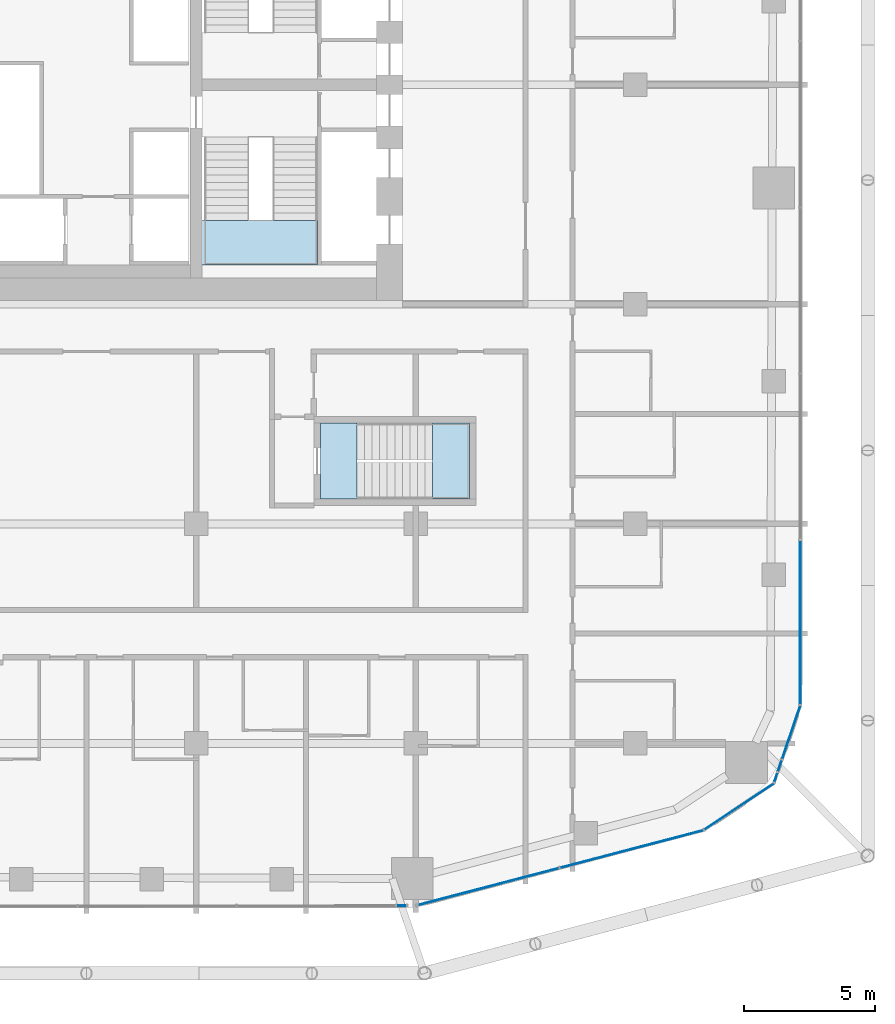
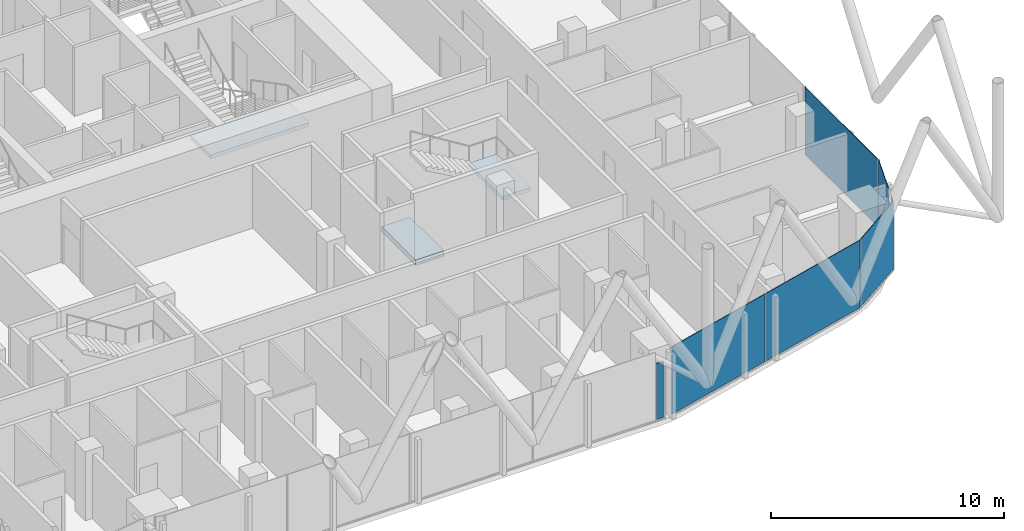
# One storey, part 20 of 33: 8 plates, 3 slabs, 9 elements without a shape of their own.
"""IFC4 building model written with IfcOpenShell, lengths in metres."""

from ifc_helpers import new_model, si_unit, direction, frame, origin, origin_2d, place, context, subcontext, project, spatial, polyline, rectangle, outline, extrude, material, layer, layer_set, type_object, element, aggregate, save


model = new_model("IFC4")

# Units and contexts
model_context = context("Model", 3, precision=1e-05, world=origin(), true_north=direction((0.0, 1.0)))
body_context = subcontext(model_context, "Body", "Model", "MODEL_VIEW")
ifc_project = project(units=[si_unit("LENGTHUNIT", "METRE"), si_unit("AREAUNIT", "SQUARE_METRE"), si_unit("VOLUMEUNIT", "CUBIC_METRE"), si_unit("PLANEANGLEUNIT", "RADIAN"), si_unit("MASSUNIT", "GRAM", prefix="KILO")], contexts=[model_context])

# Site, building, storey
site_placement = place(None, origin())
site = spatial("IfcSite", under=ifc_project, at=site_placement, CompositionType="ELEMENT")
building_placement = place(site_placement, origin())
building = spatial("IfcBuilding", under=site, at=building_placement, Name="Marenta Gate Hotel Tower", CompositionType="ELEMENT")
storey_placement = place(building_placement, frame((0.0, 0.0, 108.5)))
storey = spatial("IfcBuildingStorey", under=building, at=storey_placement, Name="L23", CompositionType="ELEMENT", Elevation=108.5)

# Stair, slab
ifc_material_1 = material(Name="Concrete C40", Category="concrete")
stair_type_1 = type_object("IfcStairType", Name="Core exit stair 1700 wide", PredefinedType="HALF_TURN_STAIR", material=ifc_material_1)
stair_1_placement = place(storey_placement, origin())
stair_1 = element("IfcStair", 1, at=stair_1_placement, inside=storey, type_object=stair_type_1, Name="Exit stair 3", PredefinedType="HALF_TURN_STAIR")
ifc_material_2 = material(Name="Concrete C40", Category="concrete")
ifc_layer_1 = layer(ifc_material_2, 0.199951171875)
ifc_layer_set_1 = layer_set([ifc_layer_1], Name="Concrete C40")
slab_type_1 = type_object("IfcSlabType", Name="Core stair landing 200", PredefinedType="LANDING", material=ifc_layer_set_1)
slab_1_placement = place(storey_placement, frame((0.0, 0.0, 1.60009765625)))
slab_1 = element("IfcSlab", 2, at=slab_1_placement, type_object=slab_type_1, Name="SL-200 ST3 landing 1", PredefinedType="LANDING", context=body_context, shape_type="SweptSolid", body=[
    extrude(outline(polyline([(3.97509765625, 1.5), (8.85009765625, 1.5), (8.85009765625, 3.2099609375), (3.97509765625, 3.2099609375), (3.97509765625, 1.5)])), origin(), (0.0, 0.0, 1.0), 0.199951171875),
])
aggregate(stair_1, [slab_1])

# Curtain wall, plate
ifc_material_3 = material(Name="Tinted insulated glass in bronze anodised frame", Category="glass")
ifc_layer_2 = layer(ifc_material_3, 0.1201171875)
ifc_layer_set_2 = layer_set([ifc_layer_2], Name="Tinted insulated glass in bronze anodised frame")
curtain_wall_type = type_object("IfcCurtainWallType", Name="Tower unitised curtain wall CW1", PredefinedType="NOTDEFINED", material=ifc_layer_set_2)
curtain_wall_1_placement = place(storey_placement, origin())
curtain_wall_1 = element("IfcCurtainWall", 3, at=curtain_wall_1_placement, inside=storey, type_object=curtain_wall_type, Name="CW1 run G13", PredefinedType="NOTDEFINED")
ifc_material_4 = material(Name="Tinted insulated glass", Category="glass")
ifc_layer_3 = layer(ifc_material_4, 0.028076171875)
ifc_layer_set_3 = layer_set([ifc_layer_3], Name="Tinted insulated glass")
plate_type = type_object("IfcPlateType", Name="Glass panel CW1 28 mm tinted insulated unit", PredefinedType="CURTAIN_PANEL", material=ifc_layer_set_3)
plate_1_placement = place(storey_placement, frame((12.060791015625, -23.013916015625, 0.06005859375), z_axis=(0.0, 0.0, 1.0), x_axis=(0.999999212858, 0.001254704164, 0.0)))
plate_1 = element("IfcPlate", 4, at=plate_1_placement, type_object=plate_type, Name="CW1 panel 1.1", PredefinedType="CURTAIN_PANEL", context=body_context, shape_type="SweptSolid", body=[
    extrude(rectangle(XDim=0.358154296875, YDim=0.028076171875, at=origin_2d()), origin(), (0.0, 0.0, 1.0), 2.9404296875),
])
aggregate(curtain_wall_1, [plate_1])

# Curtain wall, plates
curtain_wall_2_placement = place(storey_placement, origin())
curtain_wall_2 = element("IfcCurtainWall", 5, at=curtain_wall_2_placement, inside=storey, type_object=curtain_wall_type, Name="CW1 run G14", PredefinedType="NOTDEFINED")
plate_2_placement = place(storey_placement, frame((15.36474609375, -22.28857421875, 0.06005859375), z_axis=(0.0, 0.0, 1.0), x_axis=(0.967368326473, 0.253374270473, 0.0)))
plate_2 = element("IfcPlate", 6, at=plate_2_placement, type_object=plate_type, Name="CW1 panel 1.1", PredefinedType="CURTAIN_PANEL", context=body_context, shape_type="SweptSolid", body=[
    extrude(rectangle(XDim=5.6005859375, YDim=0.028076171875, at=origin_2d()), origin(), (0.0, 0.0, 1.0), 3.5400390625),
])
plate_3_placement = place(storey_placement, frame((20.86962890625, -20.8466796875, 0.06005859375), z_axis=(0.0, 0.0, 1.0), x_axis=(0.967368326473, 0.253374270473, 0.0)))
plate_3 = element("IfcPlate", 7, at=plate_3_placement, type_object=plate_type, Name="CW1 panel 2.1", PredefinedType="CURTAIN_PANEL", context=body_context, shape_type="SweptSolid", body=[
    extrude(rectangle(XDim=5.66064453125, YDim=0.028076171875, at=origin_2d()), origin(), (0.0, 0.0, 1.0), 3.5400390625),
])
aggregate(curtain_wall_2, [plate_2, plate_3])

# Curtain wall, plate
curtain_wall_3_placement = place(storey_placement, origin())
curtain_wall_3 = element("IfcCurtainWall", 8, at=curtain_wall_3_placement, inside=storey, type_object=curtain_wall_type, Name="CW1 run G15", PredefinedType="NOTDEFINED")
plate_4_placement = place(storey_placement, frame((24.981201171875, -19.215576171875, 0.06005859375), z_axis=(0.0, 0.0, 1.0), x_axis=(0.832505857051, 0.554016243423, 0.0)))
plate_4 = element("IfcPlate", 9, at=plate_4_placement, type_object=plate_type, Name="CW1 panel 1.1", PredefinedType="CURTAIN_PANEL", context=body_context, shape_type="SweptSolid", body=[
    extrude(rectangle(XDim=3.179931640625, YDim=0.028076171875, at=origin_2d()), origin(), (0.0, 0.0, 1.0), 3.5400390625),
])
aggregate(curtain_wall_3, [plate_4])

curtain_wall_4_placement = place(storey_placement, origin())
curtain_wall_4 = element("IfcCurtainWall", 10, at=curtain_wall_4_placement, inside=storey, type_object=curtain_wall_type, Name="CW1 run G16", PredefinedType="NOTDEFINED")
plate_5_placement = place(storey_placement, frame((26.383544921875, -18.103515625, 0.06005859375), z_axis=(0.0, 0.0, 1.0), x_axis=(0.322036701561, 0.946727185016, 0.0)))
plate_5 = element("IfcPlate", 11, at=plate_5_placement, type_object=plate_type, Name="CW1 panel 1.1", PredefinedType="CURTAIN_PANEL", context=body_context, shape_type="SweptSolid", body=[
    extrude(rectangle(XDim=0.3681640625, YDim=0.028076171875, at=origin_2d()), origin(), (0.0, 0.0, 1.0), 3.5400390625),
])
aggregate(curtain_wall_4, [plate_5])

curtain_wall_5_placement = place(storey_placement, origin())
curtain_wall_5 = element("IfcCurtainWall", 12, at=curtain_wall_5_placement, inside=storey, type_object=curtain_wall_type, Name="CW1 run G17", PredefinedType="NOTDEFINED")
plate_6_placement = place(storey_placement, frame((26.533935546875, -17.6611328125, 0.06005859375), z_axis=(0.0, 0.0, 1.0), x_axis=(0.322030237029, 0.946729383953, 0.0)))
plate_6 = element("IfcPlate", 13, at=plate_6_placement, type_object=plate_type, Name="CW1 panel 1.1", PredefinedType="CURTAIN_PANEL", context=body_context, shape_type="SweptSolid", body=[
    extrude(rectangle(XDim=0.4462890625, YDim=0.028076171875, at=origin_2d()), origin(), (0.0, 0.0, 1.0), 2.9404296875),
])
aggregate(curtain_wall_5, [plate_6])

curtain_wall_6_placement = place(storey_placement, origin())
curtain_wall_6 = element("IfcCurtainWall", 14, at=curtain_wall_6_placement, inside=storey, type_object=curtain_wall_type, Name="CW1 run G18", PredefinedType="NOTDEFINED")
plate_7_placement = place(storey_placement, frame((26.969482421875, -16.380615234375, 0.06005859375), z_axis=(0.0, 0.0, 1.0), x_axis=(0.322033162785, 0.946728388751, 0.0)))
plate_7 = element("IfcPlate", 15, at=plate_7_placement, type_object=plate_type, Name="CW1 panel 1.1", PredefinedType="CURTAIN_PANEL", context=body_context, shape_type="SweptSolid", body=[
    extrude(rectangle(XDim=2.13916015625, YDim=0.028076171875, at=origin_2d()), origin(), (0.0, 0.0, 1.0), 3.5400390625),
])
aggregate(curtain_wall_6, [plate_7])

curtain_wall_7_placement = place(storey_placement, origin())
curtain_wall_7 = element("IfcCurtainWall", 16, at=curtain_wall_7_placement, inside=storey, type_object=curtain_wall_type, Name="CW1 run G19", PredefinedType="NOTDEFINED")
plate_8_placement = place(storey_placement, frame((27.31396484375, -12.173095703125, 0.06005859375), z_axis=(0.0, 0.0, 1.0), x_axis=(0.0, 1.0, 0.0)))
plate_8 = element("IfcPlate", 17, at=plate_8_placement, type_object=plate_type, Name="CW1 panel 1.1", PredefinedType="CURTAIN_PANEL", context=body_context, shape_type="SweptSolid", body=[
    extrude(rectangle(XDim=6.27001953125, YDim=0.028076171875, at=origin_2d()), origin(), (0.0, 0.0, 1.0), 3.5400390625),
])
aggregate(curtain_wall_7, [plate_8])

# Stair, slab
ifc_material_5 = material(Name="Concrete C40", Category="concrete")
stair_type_2 = type_object("IfcStairType", Name="Remote exit stair 1400 wide", PredefinedType="HALF_TURN_STAIR", material=ifc_material_5)
stair_2_placement = place(storey_placement, origin())
stair_2 = element("IfcStair", 18, at=stair_2_placement, inside=storey, type_object=stair_type_2, Name="Exit stair RS-Z2-2", PredefinedType="HALF_TURN_STAIR")
ifc_material_6 = material(Name="Concrete C40", Category="concrete")
ifc_layer_4 = layer(ifc_material_6, 0.199951171875)
ifc_layer_set_4 = layer_set([ifc_layer_4], Name="Concrete C40")
slab_type_2 = type_object("IfcSlabType", Name="Remote stair landing 200", PredefinedType="LANDING", material=ifc_layer_set_4)
slab_2_placement = place(storey_placement, frame((0.0, 0.0, 1.60009765625)))
slab_2 = element("IfcSlab", 19, at=slab_2_placement, type_object=slab_type_2, Name="RL-200 RS-Z2-2 landing 1", PredefinedType="LANDING", context=body_context, shape_type="SweptSolid", body=[
    extrude(outline(polyline([(13.25, -7.449951171875), (14.64990234375, -7.449951171875), (14.64990234375, -4.550048828125), (13.25, -4.550048828125), (13.25, -7.449951171875)])), origin(), (0.0, 0.0, 1.0), 0.199951171875),
])
aggregate(stair_2, [slab_2])

# Slab
ifc_material_7 = material(Name="Concrete C40", Category="concrete")
ifc_layer_5 = layer(ifc_material_7, 0.300048828125)
ifc_layer_set_5 = layer_set([ifc_layer_5], Name="Concrete C40")
slab_type_3 = type_object("IfcSlabType", Name="Stair floor landing slab 300", PredefinedType="FLOOR", material=ifc_layer_set_5)
slab_3_placement = place(storey_placement, frame((0.0, 0.0, -0.300048828125)))
element("IfcSlab", 20, at=slab_3_placement, inside=storey, type_object=slab_type_3, Name="L23-RS-Z2-2-CL", PredefinedType="FLOOR", context=body_context, shape_type="SweptSolid", body=[
    extrude(outline(polyline([(10.35009765625, -7.449951171875), (10.35009765625, -4.550048828125), (8.949951171875, -4.550048828125), (8.949951171875, -7.449951171875), (10.35009765625, -7.449951171875)])), origin(), (0.0, 0.0, 1.0), 0.300048828125),
])

save(model, "model.ifc")
